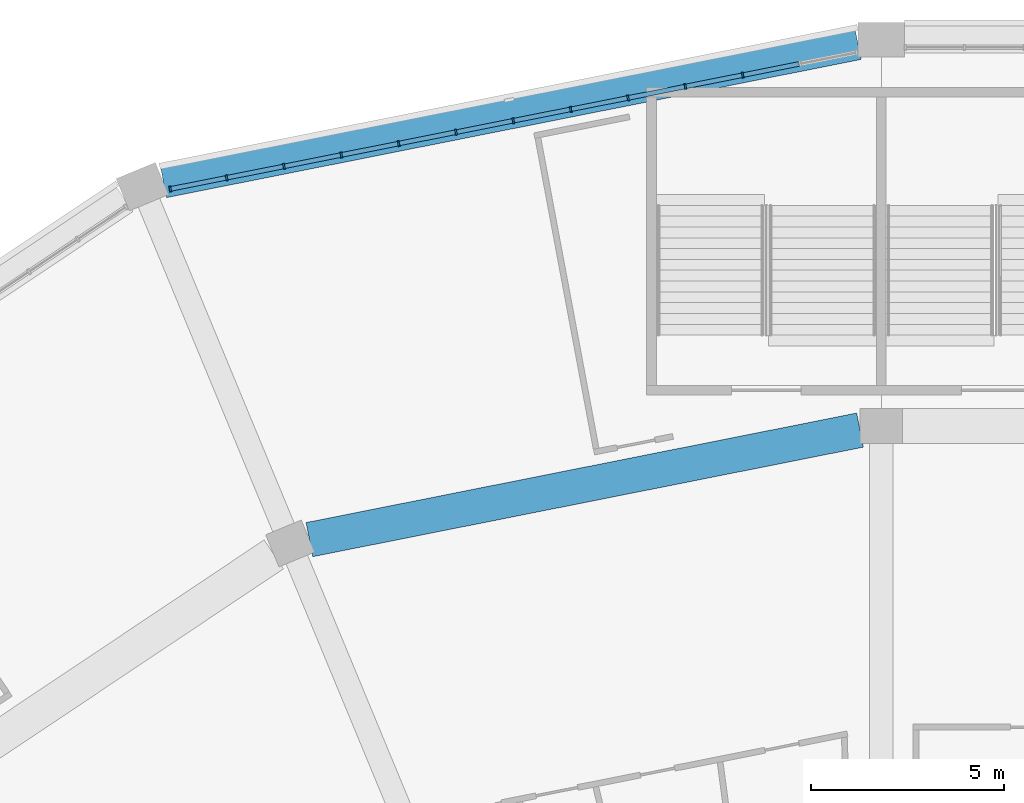
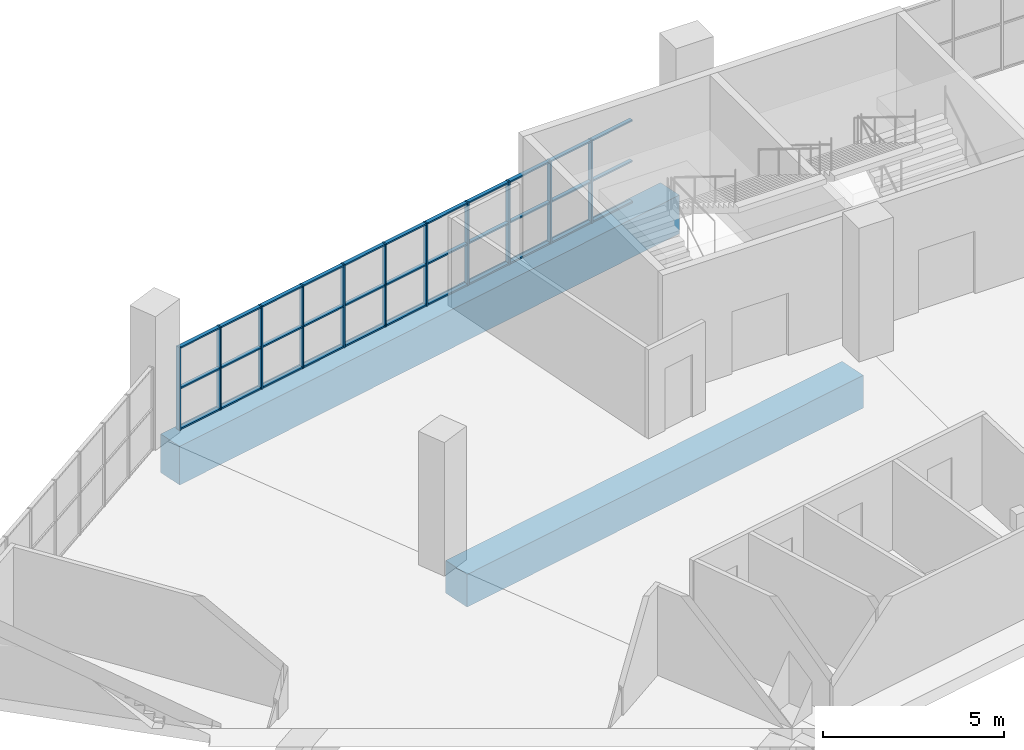
# One storey, part 43 of 199: 44 members, 2 beams, 1 element without a shape of its own.
"""IFC4 building model written with IfcOpenShell, lengths in metres."""

from ifc_helpers import new_model, si_unit, direction, frame, origin, origin_2d, place, context, subcontext, project, spatial, rectangle, extrude, material, material_profile, profile_set, type_object, element, aggregate, save


model = new_model("IFC4")

# Units and contexts
model_context = context("Model", 3, precision=1e-05, world=origin(), true_north=direction((0.0, 1.0)))
body_context = subcontext(model_context, "Body", "Model", "MODEL_VIEW")
ifc_project = project(units=[si_unit("LENGTHUNIT", "METRE"), si_unit("AREAUNIT", "SQUARE_METRE"), si_unit("VOLUMEUNIT", "CUBIC_METRE"), si_unit("PLANEANGLEUNIT", "RADIAN"), si_unit("MASSUNIT", "GRAM", prefix="KILO")], contexts=[model_context])

# Site, building, storey
site_placement = place(None, origin())
site = spatial("IfcSite", under=ifc_project, at=site_placement, CompositionType="ELEMENT")
building_placement = place(site_placement, origin())
building = spatial("IfcBuilding", under=site, at=building_placement, Name="Ogive Plaza Stadium", CompositionType="ELEMENT")
storey_placement = place(building_placement, frame((0.0, 0.0, 4.5)))
storey = spatial("IfcBuildingStorey", under=building, at=storey_placement, Name="L01", CompositionType="ELEMENT", Elevation=4.5)

# Curtain wall, members
ifc_material_1 = material(Name="Bronze-anodised aluminium with laminated glass", Category="aluminium")
curtain_wall_type = type_object("IfcCurtainWallType", Name="Lancet curtain wall", PredefinedType="NOTDEFINED", material=ifc_material_1)
curtain_wall_placement = place(storey_placement, origin())
curtain_wall = element("IfcCurtainWall", 1, at=curtain_wall_placement, inside=storey, type_object=curtain_wall_type, Name="CURTAIN WALL B31 L01", PredefinedType="NOTDEFINED")
ifc_material_2 = material(Name="Bronze-anodised aluminium", Category="aluminium")
ifc_material_profile_1 = material_profile(ifc_material_2, rectangle(XDim=0.14990234375, YDim=0.050048828125, at=origin_2d()), Name="AL 150x50")
ifc_profile_set_1 = profile_set([ifc_material_profile_1], Name="Bronze-anodised aluminium")
member_type_1 = type_object("IfcMemberType", Name="Curtain wall mullion 50x150", PredefinedType="MULLION", material=ifc_profile_set_1)
member_1_placement = place(storey_placement, frame((-52.412109375, 98.6337890625, 0.0), z_axis=(0.0, 0.0, 1.0), x_axis=(-0.195090322016, 0.980785280403, 0.0)))
member_1 = element("IfcMember", 2, at=member_1_placement, type_object=member_type_1, Name="CW-B31-L01 mullion 1", PredefinedType="MULLION", context=body_context, shape_type="SweptSolid", body=[
    extrude(rectangle(XDim=0.14990234375, YDim=0.050048828125, at=origin_2d()), origin(), (0.0, 0.0, 1.0), 2.7900390625),
])
member_2_placement = place(storey_placement, frame((-50.951904296875, 98.924072265625, 0.0), z_axis=(0.0, 0.0, 1.0), x_axis=(-0.195090322016, 0.980785280403, 0.0)))
member_2 = element("IfcMember", 3, at=member_2_placement, type_object=member_type_1, Name="CW-B31-L01 mullion 2", PredefinedType="MULLION", context=body_context, shape_type="SweptSolid", body=[
    extrude(rectangle(XDim=0.14990234375, YDim=0.050048828125, at=origin_2d()), origin(), (0.0, 0.0, 1.0), 2.7900390625),
])
member_3_placement = place(storey_placement, frame((-49.467041015625, 99.219482421875, 0.0), z_axis=(0.0, 0.0, 1.0), x_axis=(-0.195090322016, 0.980785280403, 0.0)))
member_3 = element("IfcMember", 4, at=member_3_placement, type_object=member_type_1, Name="CW-B31-L01 mullion 3", PredefinedType="MULLION", context=body_context, shape_type="SweptSolid", body=[
    extrude(rectangle(XDim=0.14990234375, YDim=0.050048828125, at=origin_2d()), origin(), (0.0, 0.0, 1.0), 2.7900390625),
])
member_4_placement = place(storey_placement, frame((-47.982421875, 99.514892578125, 0.0), z_axis=(0.0, 0.0, 1.0), x_axis=(-0.195090322016, 0.980785280403, 0.0)))
member_4 = element("IfcMember", 5, at=member_4_placement, type_object=member_type_1, Name="CW-B31-L01 mullion 4", PredefinedType="MULLION", context=body_context, shape_type="SweptSolid", body=[
    extrude(rectangle(XDim=0.14990234375, YDim=0.050048828125, at=origin_2d()), origin(), (0.0, 0.0, 1.0), 2.7900390625),
])
member_5_placement = place(storey_placement, frame((-46.49755859375, 99.81005859375, 0.0), z_axis=(0.0, 0.0, 1.0), x_axis=(-0.195090322016, 0.980785280403, 0.0)))
member_5 = element("IfcMember", 6, at=member_5_placement, type_object=member_type_1, Name="CW-B31-L01 mullion 5", PredefinedType="MULLION", context=body_context, shape_type="SweptSolid", body=[
    extrude(rectangle(XDim=0.14990234375, YDim=0.050048828125, at=origin_2d()), origin(), (0.0, 0.0, 1.0), 2.7900390625),
])
member_6_placement = place(storey_placement, frame((-45.012939453125, 100.10546875, 0.0), z_axis=(0.0, 0.0, 1.0), x_axis=(-0.195090322016, 0.980785280403, 0.0)))
member_6 = element("IfcMember", 7, at=member_6_placement, type_object=member_type_1, Name="CW-B31-L01 mullion 6", PredefinedType="MULLION", context=body_context, shape_type="SweptSolid", body=[
    extrude(rectangle(XDim=0.14990234375, YDim=0.050048828125, at=origin_2d()), origin(), (0.0, 0.0, 1.0), 2.7900390625),
])
member_7_placement = place(storey_placement, frame((-43.528076171875, 100.40087890625, 0.0), z_axis=(0.0, 0.0, 1.0), x_axis=(-0.195090322016, 0.980785280403, 0.0)))
member_7 = element("IfcMember", 8, at=member_7_placement, type_object=member_type_1, Name="CW-B31-L01 mullion 7", PredefinedType="MULLION", context=body_context, shape_type="SweptSolid", body=[
    extrude(rectangle(XDim=0.14990234375, YDim=0.050048828125, at=origin_2d()), origin(), (0.0, 0.0, 1.0), 2.7900390625),
])
member_8_placement = place(storey_placement, frame((-42.043212890625, 100.6962890625, 0.0), z_axis=(0.0, 0.0, 1.0), x_axis=(-0.195090322016, 0.980785280403, 0.0)))
member_8 = element("IfcMember", 9, at=member_8_placement, type_object=member_type_1, Name="CW-B31-L01 mullion 8", PredefinedType="MULLION", context=body_context, shape_type="SweptSolid", body=[
    extrude(rectangle(XDim=0.14990234375, YDim=0.050048828125, at=origin_2d()), origin(), (0.0, 0.0, 1.0), 2.7900390625),
])
member_9_placement = place(storey_placement, frame((-40.55859375, 100.991455078125, 0.0), z_axis=(0.0, 0.0, 1.0), x_axis=(-0.195090322016, 0.980785280403, 0.0)))
member_9 = element("IfcMember", 10, at=member_9_placement, type_object=member_type_1, Name="CW-B31-L01 mullion 9", PredefinedType="MULLION", context=body_context, shape_type="SweptSolid", body=[
    extrude(rectangle(XDim=0.14990234375, YDim=0.050048828125, at=origin_2d()), origin(), (0.0, 0.0, 1.0), 2.7900390625),
])
member_10_placement = place(storey_placement, frame((-39.07373046875, 101.286865234375, 0.0), z_axis=(0.0, 0.0, 1.0), x_axis=(-0.195090322016, 0.980785280403, 0.0)))
member_10 = element("IfcMember", 11, at=member_10_placement, type_object=member_type_1, Name="CW-B31-L01 mullion 10", PredefinedType="MULLION", context=body_context, shape_type="SweptSolid", body=[
    extrude(rectangle(XDim=0.14990234375, YDim=0.050048828125, at=origin_2d()), origin(), (0.0, 0.0, 1.0), 2.7900390625),
])
member_11_placement = place(storey_placement, frame((-37.589111328125, 101.582275390625, 0.0), z_axis=(0.0, 0.0, 1.0), x_axis=(-0.195090322016, 0.980785280403, 0.0)))
member_11 = element("IfcMember", 12, at=member_11_placement, type_object=member_type_1, Name="CW-B31-L01 mullion 11", PredefinedType="MULLION", context=body_context, shape_type="SweptSolid", body=[
    extrude(rectangle(XDim=0.14990234375, YDim=0.050048828125, at=origin_2d()), origin(), (0.0, 0.0, 1.0), 2.7900390625),
])
ifc_material_3 = material(Name="Bronze-anodised aluminium", Category="aluminium")
ifc_material_profile_2 = material_profile(ifc_material_3, rectangle(XDim=0.1201171875, YDim=0.050048828125, at=origin_2d()), Name="AL 120x50")
ifc_profile_set_2 = profile_set([ifc_material_profile_2], Name="Bronze-anodised aluminium")
member_type_2 = type_object("IfcMemberType", Name="Curtain wall transom 50x120", PredefinedType="USERDEFINED", material=ifc_profile_set_2)
member_12_placement = place(storey_placement, frame((-52.3876953125, 98.638671875, 0.02490234375), z_axis=(0.980814888552, 0.194941412722, 0.0), x_axis=(-0.194941412722, 0.980814888552, 0.0)))
member_12 = element("IfcMember", 13, at=member_12_placement, type_object=member_type_2, Name="CW-B31-L01 transom 1.1", ObjectType="TRANSOM", PredefinedType="USERDEFINED", context=body_context, shape_type="SweptSolid", body=[
    extrude(rectangle(XDim=0.1201171875, YDim=0.050048828125, at=origin_2d()), origin(), (0.0, 0.0, 1.0), 1.43896484375),
])
member_13_placement = place(storey_placement, frame((-52.3876953125, 98.638671875, 1.39501953125), z_axis=(0.980814888552, 0.194941412722, 0.0), x_axis=(-0.194941412722, 0.980814888552, 0.0)))
member_13 = element("IfcMember", 14, at=member_13_placement, type_object=member_type_2, Name="CW-B31-L01 transom 1.2", ObjectType="TRANSOM", PredefinedType="USERDEFINED", context=body_context, shape_type="SweptSolid", body=[
    extrude(rectangle(XDim=0.1201171875, YDim=0.050048828125, at=origin_2d()), origin(), (0.0, 0.0, 1.0), 1.43896484375),
])
member_14_placement = place(storey_placement, frame((-52.3876953125, 98.638671875, 2.764892578125), z_axis=(0.980814888552, 0.194941412722, 0.0), x_axis=(-0.194941412722, 0.980814888552, 0.0)))
member_14 = element("IfcMember", 15, at=member_14_placement, type_object=member_type_2, Name="CW-B31-L01 transom 1.3", ObjectType="TRANSOM", PredefinedType="USERDEFINED", context=body_context, shape_type="SweptSolid", body=[
    extrude(rectangle(XDim=0.1201171875, YDim=0.050048828125, at=origin_2d()), origin(), (0.0, 0.0, 1.0), 1.43896484375),
])
member_15_placement = place(storey_placement, frame((-50.92724609375, 98.928955078125, 0.02490234375), z_axis=(0.980772662828, 0.195153744134, 0.0), x_axis=(-0.195153744134, 0.980772662828, 0.0)))
member_15 = element("IfcMember", 16, at=member_15_placement, type_object=member_type_2, Name="CW-B31-L01 transom 2.1", ObjectType="TRANSOM", PredefinedType="USERDEFINED", context=body_context, shape_type="SweptSolid", body=[
    extrude(rectangle(XDim=0.1201171875, YDim=0.050048828125, at=origin_2d()), origin(), (0.0, 0.0, 1.0), 1.463623046875),
])
member_16_placement = place(storey_placement, frame((-50.92724609375, 98.928955078125, 1.39501953125), z_axis=(0.980772662828, 0.195153744134, 0.0), x_axis=(-0.195153744134, 0.980772662828, 0.0)))
member_16 = element("IfcMember", 17, at=member_16_placement, type_object=member_type_2, Name="CW-B31-L01 transom 2.2", ObjectType="TRANSOM", PredefinedType="USERDEFINED", context=body_context, shape_type="SweptSolid", body=[
    extrude(rectangle(XDim=0.1201171875, YDim=0.050048828125, at=origin_2d()), origin(), (0.0, 0.0, 1.0), 1.463623046875),
])
member_17_placement = place(storey_placement, frame((-50.92724609375, 98.928955078125, 2.764892578125), z_axis=(0.980772662828, 0.195153744134, 0.0), x_axis=(-0.195153744134, 0.980772662828, 0.0)))
member_17 = element("IfcMember", 18, at=member_17_placement, type_object=member_type_2, Name="CW-B31-L01 transom 2.3", ObjectType="TRANSOM", PredefinedType="USERDEFINED", context=body_context, shape_type="SweptSolid", body=[
    extrude(rectangle(XDim=0.1201171875, YDim=0.050048828125, at=origin_2d()), origin(), (0.0, 0.0, 1.0), 1.463623046875),
])
member_18_placement = place(storey_placement, frame((-49.442626953125, 99.224365234375, 0.02490234375), z_axis=(0.980779013771, 0.195121823859, 0.0), x_axis=(-0.195121823859, 0.980779013771, 0.0)))
member_18 = element("IfcMember", 19, at=member_18_placement, type_object=member_type_2, Name="CW-B31-L01 transom 3.1", ObjectType="TRANSOM", PredefinedType="USERDEFINED", context=body_context, shape_type="SweptSolid", body=[
    extrude(rectangle(XDim=0.1201171875, YDim=0.050048828125, at=origin_2d()), origin(), (0.0, 0.0, 1.0), 1.4638671875),
])
member_19_placement = place(storey_placement, frame((-49.442626953125, 99.224365234375, 1.39501953125), z_axis=(0.980779013771, 0.195121823859, 0.0), x_axis=(-0.195121823859, 0.980779013771, 0.0)))
member_19 = element("IfcMember", 20, at=member_19_placement, type_object=member_type_2, Name="CW-B31-L01 transom 3.2", ObjectType="TRANSOM", PredefinedType="USERDEFINED", context=body_context, shape_type="SweptSolid", body=[
    extrude(rectangle(XDim=0.1201171875, YDim=0.050048828125, at=origin_2d()), origin(), (0.0, 0.0, 1.0), 1.4638671875),
])
member_20_placement = place(storey_placement, frame((-49.442626953125, 99.224365234375, 2.764892578125), z_axis=(0.980779013771, 0.195121823859, 0.0), x_axis=(-0.195121823859, 0.980779013771, 0.0)))
member_20 = element("IfcMember", 21, at=member_20_placement, type_object=member_type_2, Name="CW-B31-L01 transom 3.3", ObjectType="TRANSOM", PredefinedType="USERDEFINED", context=body_context, shape_type="SweptSolid", body=[
    extrude(rectangle(XDim=0.1201171875, YDim=0.050048828125, at=origin_2d()), origin(), (0.0, 0.0, 1.0), 1.4638671875),
])
member_21_placement = place(storey_placement, frame((-47.957763671875, 99.519775390625, 0.02490234375), z_axis=(0.980804576136, 0.194993290732, 0.0), x_axis=(-0.194993290732, 0.980804576136, 0.0)))
member_21 = element("IfcMember", 22, at=member_21_placement, type_object=member_type_2, Name="CW-B31-L01 transom 4.1", ObjectType="TRANSOM", PredefinedType="USERDEFINED", context=body_context, shape_type="SweptSolid", body=[
    extrude(rectangle(XDim=0.1201171875, YDim=0.050048828125, at=origin_2d()), origin(), (0.0, 0.0, 1.0), 1.463623046875),
])
member_22_placement = place(storey_placement, frame((-47.957763671875, 99.519775390625, 1.39501953125), z_axis=(0.980804576136, 0.194993290732, 0.0), x_axis=(-0.194993290732, 0.980804576136, 0.0)))
member_22 = element("IfcMember", 23, at=member_22_placement, type_object=member_type_2, Name="CW-B31-L01 transom 4.2", ObjectType="TRANSOM", PredefinedType="USERDEFINED", context=body_context, shape_type="SweptSolid", body=[
    extrude(rectangle(XDim=0.1201171875, YDim=0.050048828125, at=origin_2d()), origin(), (0.0, 0.0, 1.0), 1.463623046875),
])
member_23_placement = place(storey_placement, frame((-47.957763671875, 99.519775390625, 2.764892578125), z_axis=(0.980804576136, 0.194993290732, 0.0), x_axis=(-0.194993290732, 0.980804576136, 0.0)))
member_23 = element("IfcMember", 24, at=member_23_placement, type_object=member_type_2, Name="CW-B31-L01 transom 4.3", ObjectType="TRANSOM", PredefinedType="USERDEFINED", context=body_context, shape_type="SweptSolid", body=[
    extrude(rectangle(XDim=0.1201171875, YDim=0.050048828125, at=origin_2d()), origin(), (0.0, 0.0, 1.0), 1.463623046875),
])
member_24_placement = place(storey_placement, frame((-46.47314453125, 99.81494140625, 0.02490234375), z_axis=(0.980779013771, 0.195121823859, 0.0), x_axis=(-0.195121823859, 0.980779013771, 0.0)))
member_24 = element("IfcMember", 25, at=member_24_placement, type_object=member_type_2, Name="CW-B31-L01 transom 5.1", ObjectType="TRANSOM", PredefinedType="USERDEFINED", context=body_context, shape_type="SweptSolid", body=[
    extrude(rectangle(XDim=0.1201171875, YDim=0.050048828125, at=origin_2d()), origin(), (0.0, 0.0, 1.0), 1.4638671875),
])
member_25_placement = place(storey_placement, frame((-46.47314453125, 99.81494140625, 1.39501953125), z_axis=(0.980779013771, 0.195121823859, 0.0), x_axis=(-0.195121823859, 0.980779013771, 0.0)))
member_25 = element("IfcMember", 26, at=member_25_placement, type_object=member_type_2, Name="CW-B31-L01 transom 5.2", ObjectType="TRANSOM", PredefinedType="USERDEFINED", context=body_context, shape_type="SweptSolid", body=[
    extrude(rectangle(XDim=0.1201171875, YDim=0.050048828125, at=origin_2d()), origin(), (0.0, 0.0, 1.0), 1.4638671875),
])
member_26_placement = place(storey_placement, frame((-46.47314453125, 99.81494140625, 2.764892578125), z_axis=(0.980779013771, 0.195121823859, 0.0), x_axis=(-0.195121823859, 0.980779013771, 0.0)))
member_26 = element("IfcMember", 27, at=member_26_placement, type_object=member_type_2, Name="CW-B31-L01 transom 5.3", ObjectType="TRANSOM", PredefinedType="USERDEFINED", context=body_context, shape_type="SweptSolid", body=[
    extrude(rectangle(XDim=0.1201171875, YDim=0.050048828125, at=origin_2d()), origin(), (0.0, 0.0, 1.0), 1.4638671875),
])
member_27_placement = place(storey_placement, frame((-44.98828125, 100.1103515625, 0.02490234375), z_axis=(0.980779013771, 0.195121823859, 0.0), x_axis=(-0.195121823859, 0.980779013771, 0.0)))
member_27 = element("IfcMember", 28, at=member_27_placement, type_object=member_type_2, Name="CW-B31-L01 transom 6.1", ObjectType="TRANSOM", PredefinedType="USERDEFINED", context=body_context, shape_type="SweptSolid", body=[
    extrude(rectangle(XDim=0.1201171875, YDim=0.050048828125, at=origin_2d()), origin(), (0.0, 0.0, 1.0), 1.4638671875),
])
member_28_placement = place(storey_placement, frame((-44.98828125, 100.1103515625, 1.39501953125), z_axis=(0.980779013771, 0.195121823859, 0.0), x_axis=(-0.195121823859, 0.980779013771, 0.0)))
member_28 = element("IfcMember", 29, at=member_28_placement, type_object=member_type_2, Name="CW-B31-L01 transom 6.2", ObjectType="TRANSOM", PredefinedType="USERDEFINED", context=body_context, shape_type="SweptSolid", body=[
    extrude(rectangle(XDim=0.1201171875, YDim=0.050048828125, at=origin_2d()), origin(), (0.0, 0.0, 1.0), 1.4638671875),
])
member_29_placement = place(storey_placement, frame((-44.98828125, 100.1103515625, 2.764892578125), z_axis=(0.980779013771, 0.195121823859, 0.0), x_axis=(-0.195121823859, 0.980779013771, 0.0)))
member_29 = element("IfcMember", 30, at=member_29_placement, type_object=member_type_2, Name="CW-B31-L01 transom 6.3", ObjectType="TRANSOM", PredefinedType="USERDEFINED", context=body_context, shape_type="SweptSolid", body=[
    extrude(rectangle(XDim=0.1201171875, YDim=0.050048828125, at=origin_2d()), origin(), (0.0, 0.0, 1.0), 1.4638671875),
])
member_30_placement = place(storey_placement, frame((-43.503662109375, 100.40576171875, 0.02490234375), z_axis=(0.980779013771, 0.195121823859, 0.0), x_axis=(-0.195121823859, 0.980779013771, 0.0)))
member_30 = element("IfcMember", 31, at=member_30_placement, type_object=member_type_2, Name="CW-B31-L01 transom 7.1", ObjectType="TRANSOM", PredefinedType="USERDEFINED", context=body_context, shape_type="SweptSolid", body=[
    extrude(rectangle(XDim=0.1201171875, YDim=0.050048828125, at=origin_2d()), origin(), (0.0, 0.0, 1.0), 1.4638671875),
])
member_31_placement = place(storey_placement, frame((-43.503662109375, 100.40576171875, 1.39501953125), z_axis=(0.980779013771, 0.195121823859, 0.0), x_axis=(-0.195121823859, 0.980779013771, 0.0)))
member_31 = element("IfcMember", 32, at=member_31_placement, type_object=member_type_2, Name="CW-B31-L01 transom 7.2", ObjectType="TRANSOM", PredefinedType="USERDEFINED", context=body_context, shape_type="SweptSolid", body=[
    extrude(rectangle(XDim=0.1201171875, YDim=0.050048828125, at=origin_2d()), origin(), (0.0, 0.0, 1.0), 1.4638671875),
])
member_32_placement = place(storey_placement, frame((-43.503662109375, 100.40576171875, 2.764892578125), z_axis=(0.980779013771, 0.195121823859, 0.0), x_axis=(-0.195121823859, 0.980779013771, 0.0)))
member_32 = element("IfcMember", 33, at=member_32_placement, type_object=member_type_2, Name="CW-B31-L01 transom 7.3", ObjectType="TRANSOM", PredefinedType="USERDEFINED", context=body_context, shape_type="SweptSolid", body=[
    extrude(rectangle(XDim=0.1201171875, YDim=0.050048828125, at=origin_2d()), origin(), (0.0, 0.0, 1.0), 1.4638671875),
])
member_33_placement = place(storey_placement, frame((-42.018798828125, 100.700927734375, 0.02490234375), z_axis=(0.980779013771, 0.195121823859, 0.0), x_axis=(-0.195121823859, 0.980779013771, 0.0)))
member_33 = element("IfcMember", 34, at=member_33_placement, type_object=member_type_2, Name="CW-B31-L01 transom 8.1", ObjectType="TRANSOM", PredefinedType="USERDEFINED", context=body_context, shape_type="SweptSolid", body=[
    extrude(rectangle(XDim=0.1201171875, YDim=0.050048828125, at=origin_2d()), origin(), (0.0, 0.0, 1.0), 1.4638671875),
])
member_34_placement = place(storey_placement, frame((-42.018798828125, 100.700927734375, 1.39501953125), z_axis=(0.980779013771, 0.195121823859, 0.0), x_axis=(-0.195121823859, 0.980779013771, 0.0)))
member_34 = element("IfcMember", 35, at=member_34_placement, type_object=member_type_2, Name="CW-B31-L01 transom 8.2", ObjectType="TRANSOM", PredefinedType="USERDEFINED", context=body_context, shape_type="SweptSolid", body=[
    extrude(rectangle(XDim=0.1201171875, YDim=0.050048828125, at=origin_2d()), origin(), (0.0, 0.0, 1.0), 1.4638671875),
])
member_35_placement = place(storey_placement, frame((-42.018798828125, 100.700927734375, 2.764892578125), z_axis=(0.980779013771, 0.195121823859, 0.0), x_axis=(-0.195121823859, 0.980779013771, 0.0)))
member_35 = element("IfcMember", 36, at=member_35_placement, type_object=member_type_2, Name="CW-B31-L01 transom 8.3", ObjectType="TRANSOM", PredefinedType="USERDEFINED", context=body_context, shape_type="SweptSolid", body=[
    extrude(rectangle(XDim=0.1201171875, YDim=0.050048828125, at=origin_2d()), origin(), (0.0, 0.0, 1.0), 1.4638671875),
])
member_36_placement = place(storey_placement, frame((-40.533935546875, 100.996337890625, 0.02490234375), z_axis=(0.980772662828, 0.195153744134, 0.0), x_axis=(-0.195153744134, 0.980772662828, 0.0)))
member_36 = element("IfcMember", 37, at=member_36_placement, type_object=member_type_2, Name="CW-B31-L01 transom 9.1", ObjectType="TRANSOM", PredefinedType="USERDEFINED", context=body_context, shape_type="SweptSolid", body=[
    extrude(rectangle(XDim=0.1201171875, YDim=0.050048828125, at=origin_2d()), origin(), (0.0, 0.0, 1.0), 1.463623046875),
])
member_37_placement = place(storey_placement, frame((-40.533935546875, 100.996337890625, 1.39501953125), z_axis=(0.980772662828, 0.195153744134, 0.0), x_axis=(-0.195153744134, 0.980772662828, 0.0)))
member_37 = element("IfcMember", 38, at=member_37_placement, type_object=member_type_2, Name="CW-B31-L01 transom 9.2", ObjectType="TRANSOM", PredefinedType="USERDEFINED", context=body_context, shape_type="SweptSolid", body=[
    extrude(rectangle(XDim=0.1201171875, YDim=0.050048828125, at=origin_2d()), origin(), (0.0, 0.0, 1.0), 1.463623046875),
])
member_38_placement = place(storey_placement, frame((-40.533935546875, 100.996337890625, 2.764892578125), z_axis=(0.980772662828, 0.195153744134, 0.0), x_axis=(-0.195153744134, 0.980772662828, 0.0)))
member_38 = element("IfcMember", 39, at=member_38_placement, type_object=member_type_2, Name="CW-B31-L01 transom 9.3", ObjectType="TRANSOM", PredefinedType="USERDEFINED", context=body_context, shape_type="SweptSolid", body=[
    extrude(rectangle(XDim=0.1201171875, YDim=0.050048828125, at=origin_2d()), origin(), (0.0, 0.0, 1.0), 1.463623046875),
])
member_39_placement = place(storey_placement, frame((-39.04931640625, 101.291748046875, 0.02490234375), z_axis=(0.980779013771, 0.195121823859, 0.0), x_axis=(-0.195121823859, 0.980779013771, 0.0)))
member_39 = element("IfcMember", 40, at=member_39_placement, type_object=member_type_2, Name="CW-B31-L01 transom 10.1", ObjectType="TRANSOM", PredefinedType="USERDEFINED", context=body_context, shape_type="SweptSolid", body=[
    extrude(rectangle(XDim=0.1201171875, YDim=0.050048828125, at=origin_2d()), origin(), (0.0, 0.0, 1.0), 1.4638671875),
])
member_40_placement = place(storey_placement, frame((-39.04931640625, 101.291748046875, 1.39501953125), z_axis=(0.980779013771, 0.195121823859, 0.0), x_axis=(-0.195121823859, 0.980779013771, 0.0)))
member_40 = element("IfcMember", 41, at=member_40_placement, type_object=member_type_2, Name="CW-B31-L01 transom 10.2", ObjectType="TRANSOM", PredefinedType="USERDEFINED", context=body_context, shape_type="SweptSolid", body=[
    extrude(rectangle(XDim=0.1201171875, YDim=0.050048828125, at=origin_2d()), origin(), (0.0, 0.0, 1.0), 1.4638671875),
])
member_41_placement = place(storey_placement, frame((-39.04931640625, 101.291748046875, 2.764892578125), z_axis=(0.980779013771, 0.195121823859, 0.0), x_axis=(-0.195121823859, 0.980779013771, 0.0)))
member_41 = element("IfcMember", 42, at=member_41_placement, type_object=member_type_2, Name="CW-B31-L01 transom 10.3", ObjectType="TRANSOM", PredefinedType="USERDEFINED", context=body_context, shape_type="SweptSolid", body=[
    extrude(rectangle(XDim=0.1201171875, YDim=0.050048828125, at=origin_2d()), origin(), (0.0, 0.0, 1.0), 1.4638671875),
])
member_42_placement = place(storey_placement, frame((-37.564453125, 101.587158203125, 0.02490234375), z_axis=(0.980804576136, 0.194993290732, 0.0), x_axis=(-0.194993290732, 0.980804576136, 0.0)))
member_42 = element("IfcMember", 43, at=member_42_placement, type_object=member_type_2, Name="CW-B31-L01 transom 11.1", ObjectType="TRANSOM", PredefinedType="USERDEFINED", context=body_context, shape_type="SweptSolid", body=[
    extrude(rectangle(XDim=0.1201171875, YDim=0.050048828125, at=origin_2d()), origin(), (0.0, 0.0, 1.0), 1.463623046875),
])
member_43_placement = place(storey_placement, frame((-37.564453125, 101.587158203125, 1.39501953125), z_axis=(0.980804576136, 0.194993290732, 0.0), x_axis=(-0.194993290732, 0.980804576136, 0.0)))
member_43 = element("IfcMember", 44, at=member_43_placement, type_object=member_type_2, Name="CW-B31-L01 transom 11.2", ObjectType="TRANSOM", PredefinedType="USERDEFINED", context=body_context, shape_type="SweptSolid", body=[
    extrude(rectangle(XDim=0.1201171875, YDim=0.050048828125, at=origin_2d()), origin(), (0.0, 0.0, 1.0), 1.463623046875),
])
member_44_placement = place(storey_placement, frame((-37.564453125, 101.587158203125, 2.764892578125), z_axis=(0.980804576136, 0.194993290732, 0.0), x_axis=(-0.194993290732, 0.980804576136, 0.0)))
member_44 = element("IfcMember", 45, at=member_44_placement, type_object=member_type_2, Name="CW-B31-L01 transom 11.3", ObjectType="TRANSOM", PredefinedType="USERDEFINED", context=body_context, shape_type="SweptSolid", body=[
    extrude(rectangle(XDim=0.1201171875, YDim=0.050048828125, at=origin_2d()), origin(), (0.0, 0.0, 1.0), 1.463623046875),
])
aggregate(curtain_wall, [member_1, member_2, member_3, member_4, member_5, member_6, member_7, member_8, member_9, member_10, member_11, member_12, member_13, member_14, member_15, member_16, member_17, member_18, member_19, member_20, member_21, member_22, member_23, member_24, member_25, member_26, member_27, member_28, member_29, member_30, member_31, member_32, member_33, member_34, member_35, member_36, member_37, member_38, member_39, member_40, member_41, member_42, member_43, member_44])

# Beams
ifc_material_4 = material(Name="Concrete C40/50", Category="concrete")
ifc_material_profile_3 = material_profile(ifc_material_4, rectangle(XDim=0.89990234375, YDim=1.10009765625, at=origin_2d()), Name="RC 900x1100")
ifc_profile_set_3 = profile_set([ifc_material_profile_3], Name="Concrete C40/50")
beam_type_1 = type_object("IfcBeamType", Name="RC ring beam 900x1100", PredefinedType="BEAM", material=ifc_profile_set_3)
beam_1_placement = place(storey_placement, frame((-48.807373046875, 89.5546875, -0.9599609375), z_axis=(0.980785551724, 0.195088957992, 0.0), x_axis=(-0.195088957992, 0.980785551724, 0.0)))
element("IfcBeam", 46, at=beam_1_placement, inside=storey, type_object=beam_type_1, Name="Ring beam F4 L01 B31", PredefinedType="BEAM", context=body_context, shape_type="SweptSolid", body=[
    extrude(rectangle(XDim=0.89990234375, YDim=1.10009765625, at=origin_2d()), origin(), (0.0, 0.0, 1.0), 14.53662109375),
])
ifc_material_5 = material(Name="Concrete C40/50", Category="concrete")
ifc_material_profile_4 = material_profile(ifc_material_5, rectangle(XDim=0.800048828125, YDim=1.300048828125, at=origin_2d()), Name="RC 800x1300")
ifc_profile_set_4 = profile_set([ifc_material_profile_4], Name="Concrete C40/50")
beam_type_2 = type_object("IfcBeamType", Name="RC spandrel beam 800x1300", PredefinedType="SPANDREL", material=ifc_profile_set_4)
beam_2_placement = place(storey_placement, frame((-52.584228515625, 98.803466796875, -1.06005859375), z_axis=(0.980786507619, 0.195084152283, 0.0), x_axis=(-0.195084152283, 0.980786507619, 0.0)))
element("IfcBeam", 47, at=beam_2_placement, inside=storey, type_object=beam_type_2, Name="Ring beam F5 L01 B31", PredefinedType="SPANDREL", context=body_context, shape_type="SweptSolid", body=[
    extrude(rectangle(XDim=0.800048828125, YDim=1.300048828125, at=origin_2d()), origin(), (0.0, 0.0, 1.0), 18.33642578125),
])

save(model, "model.ifc")
